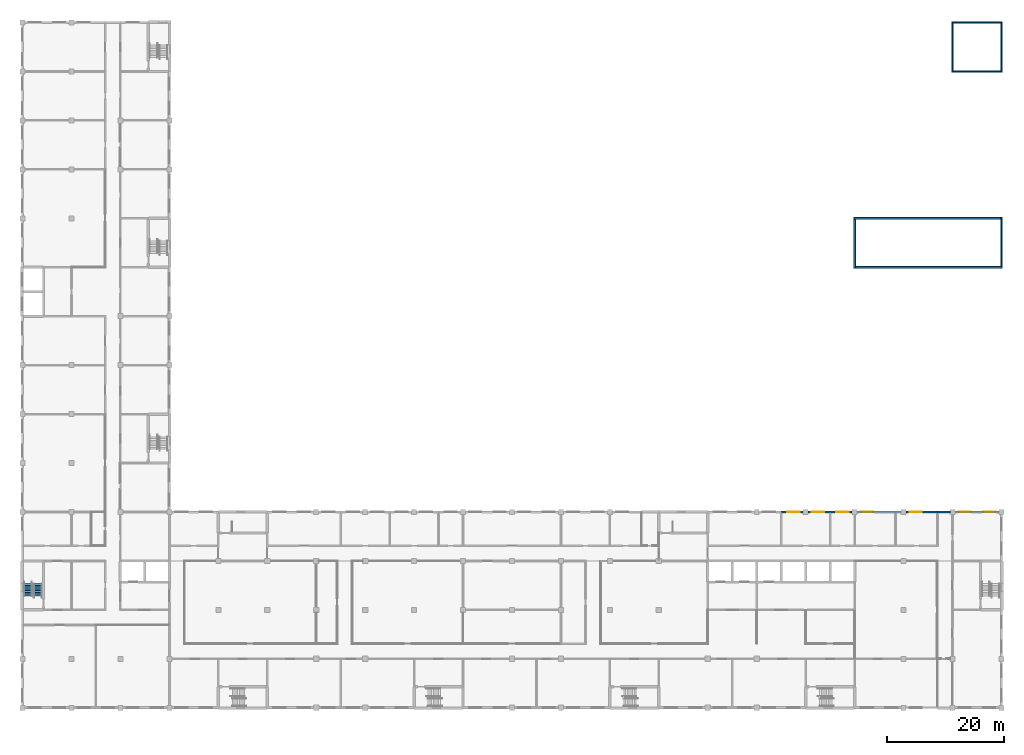
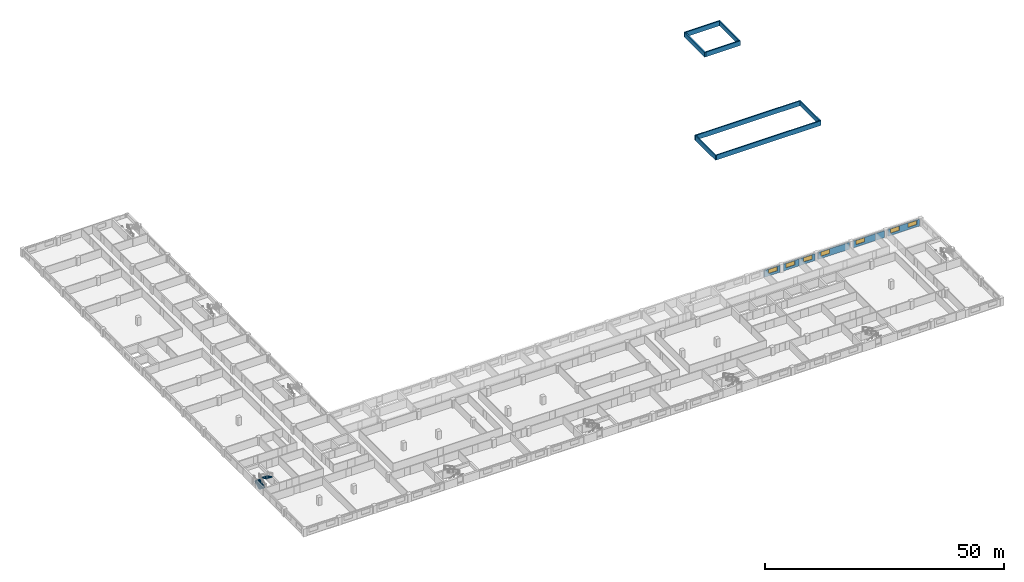
# One storey, part 41 of 48: 15 walls, 7 windows, 2 stair flights, 7 openings, 1 element without a shape of its own.
"""IFC4 building model written with IfcOpenShell, lengths in metres."""

import ifcopenshell
import ifcopenshell.guid

model = None  # the IFC model being written
_history = None  # IfcOwnerHistory: only IFC2X3 demands one
_inside = {}  # id of a spatial element -> (the spatial element, [elements in it])
_under = {}  # id of a project, library or spatial element -> (it, [spatial elements below it])
_declared = {}  # id of a project -> (the project, [libraries it declares])
_typed = {}  # id of a type object -> (the type object, [elements of that type])
_made_of = {}  # id of a material, layer set ... -> (it, [elements and type objects made of it])


def new_model(schema):
    """Start an empty IFC model of exactly this schema.

    Asked for "IFC4X3", IfcOpenShell would pick the latest addendum, in which some entities
    have other attributes; the version numbers below select the first issue.
    IFC2X3 requires an IfcOwnerHistory on every rooted entity: one is made here for all.
    """
    global model, _history
    if schema == "IFC4X3":
        model = ifcopenshell.file(schema_version=(4, 3, 0, 0))
    else:
        model = ifcopenshell.file(schema=schema)
    _inside.clear()
    _under.clear()
    _declared.clear()
    _typed.clear()
    _made_of.clear()
    _history = None
    if model.schema == "IFC2X3":
        org = make("IfcOrganization", Name="unknown")
        user = make(
            "IfcPersonAndOrganization",
            ThePerson=make("IfcPerson", FamilyName="unknown"),
            TheOrganization=org,
        )
        app = make(
            "IfcApplication",
            ApplicationDeveloper=org,
            Version="unknown",
            ApplicationFullName="unknown",
            ApplicationIdentifier="unknown",
        )
        _history = make(
            "IfcOwnerHistory",
            OwningUser=user,
            OwningApplication=app,
            ChangeAction="ADDED",
            CreationDate=0,
        )
    return model


def make(cls, **values):
    """One entity of the class cls with the attributes given. An attribute that is None is left unset."""
    return model.create_entity(
        cls, **{name: value for name, value in values.items() if value is not None}
    )


def rooted(cls, **values):
    """An entity with a GlobalId (a new one), such as an element, a storey or a relation."""
    return make(cls, GlobalId=ifcopenshell.guid.new(), OwnerHistory=_history, **values)


def si_unit(unit_type, name, prefix=None):
    """IfcSIUnit, for example si_unit("LENGTHUNIT", "METRE", prefix="MILLI")."""
    return make("IfcSIUnit", UnitType=unit_type, Prefix=prefix, Name=name)


def assignment(units):
    """IfcUnitAssignment: the units of a project."""
    return None if units is None else make("IfcUnitAssignment", Units=units)


def point(xyz):
    """IfcCartesianPoint."""
    return None if xyz is None else make("IfcCartesianPoint", Coordinates=xyz)


def direction(xyz):
    """IfcDirection."""
    return None if xyz is None else make("IfcDirection", DirectionRatios=xyz)


def frame(location, z_axis=None, x_axis=None):
    """IfcAxis2Placement3D, a coordinate frame: its origin and axes. An axis left out is left unset."""
    return make(
        "IfcAxis2Placement3D",
        Location=point(location),
        Axis=direction(z_axis),
        RefDirection=direction(x_axis),
    )


def frame_2d(location, x_axis=None):
    """IfcAxis2Placement2D, a coordinate frame in the plane: its origin and x axis."""
    return make(
        "IfcAxis2Placement2D", Location=point(location), RefDirection=direction(x_axis)
    )


def origin():
    """The frame at (0, 0, 0) with its axes left unset."""
    return frame((0.0, 0.0, 0.0))


def place(relative_to, where):
    """IfcLocalPlacement: puts the frame where relative to a parent placement (None: the world)."""
    return make(
        "IfcLocalPlacement", PlacementRelTo=relative_to, RelativePlacement=where
    )


def context(
    kind, dimensions, precision=None, world=None, true_north=None, identifier=None
):
    """IfcGeometricRepresentationContext, for example the 3D "Model" context."""
    return make(
        "IfcGeometricRepresentationContext",
        ContextIdentifier=identifier,
        ContextType=kind,
        CoordinateSpaceDimension=dimensions,
        Precision=precision,
        WorldCoordinateSystem=world,
        TrueNorth=true_north,
    )


def subcontext(parent, identifier, kind, view, scale=None):
    """IfcGeometricRepresentationSubContext, for example "Body" below "Model"."""
    return make(
        "IfcGeometricRepresentationSubContext",
        ContextIdentifier=identifier,
        ContextType=kind,
        ParentContext=parent,
        TargetScale=scale,
        TargetView=view,
    )


def project(units=None, contexts=None):
    """IfcProject with its units and contexts."""
    return rooted(
        "IfcProject",
        Name="project",
        RepresentationContexts=contexts,
        UnitsInContext=assignment(units),
    )


def spatial(cls, under=None, at=None, **own):
    """A site, building, storey or space (cls), placed at a placement, below another one or the project."""
    s = rooted(cls, ObjectPlacement=at, **own)
    if under is not None:
        _under.setdefault(under.id(), (under, []))[1].append(s)
    return s


def polyline(points):
    """IfcPolyline through the points."""
    return make("IfcPolyline", Points=[point(p) for p in points])


def profile(cls, at=None, kind="AREA", **sizes):
    """A parametric profile (cls). Its sizes go by their IFC names, for example OverallWidth=200.0."""
    return make(cls, ProfileType=kind, Position=at, **sizes)


def rectangle(**sizes):
    """IfcRectangleProfileDef."""
    return profile("IfcRectangleProfileDef", **sizes)


def outline(outer, holes=None, kind="AREA"):
    """IfcArbitraryClosedProfileDef: a profile drawn as a closed curve; with holes, ...WithVoids."""
    if holes is None:
        return make("IfcArbitraryClosedProfileDef", ProfileType=kind, OuterCurve=outer)
    return make(
        "IfcArbitraryProfileDefWithVoids",
        ProfileType=kind,
        OuterCurve=outer,
        InnerCurves=holes,
    )


def extrude(swept, where, along, depth):
    """IfcExtrudedAreaSolid: the profile swept, set in the frame where, extruded along a direction by depth."""
    return make(
        "IfcExtrudedAreaSolid",
        SweptArea=swept,
        Position=where,
        ExtrudedDirection=direction(along),
        Depth=depth,
    )


def shape(context_of_items, identifier, shape_type, items):
    """IfcShapeRepresentation: the items that make up one representation, for example the "Body"."""
    return make(
        "IfcShapeRepresentation",
        ContextOfItems=context_of_items,
        RepresentationIdentifier=identifier,
        RepresentationType=shape_type,
        Items=items,
    )


def material(Name=None, Category=None):
    """IfcMaterial."""
    return make("IfcMaterial", Name=Name, Category=Category)


def layer(
    of_material, thickness, ventilated=None, Name=None, Category=None, Priority=None
):
    """IfcMaterialLayer: one layer of a wall or slab, of a material (None: an air gap)."""
    return make(
        "IfcMaterialLayer",
        Material=of_material,
        LayerThickness=thickness,
        IsVentilated=ventilated,
        Name=Name,
        Category=Category,
        Priority=Priority,
    )


def layer_set(layers, Name=None):
    """IfcMaterialLayerSet."""
    return make("IfcMaterialLayerSet", MaterialLayers=layers, LayerSetName=Name)


def made_of(thing, what):
    """Note that an element or type object is made of a material, layer set ...; save() writes the relation."""
    if what is not None:
        _made_of.setdefault(what.id(), (what, []))[1].append(thing)
    return thing


def type_object(cls, material=None, **own):
    """A type object (cls), such as IfcWallType, which elements share."""
    return made_of(rooted(cls, **own), material)


def element(
    cls,
    number,
    at=None,
    inside=None,
    cuts=None,
    type_object=None,
    material=None,
    context=None,
    identifier="Body",
    shape_type=None,
    held_by="IfcProductDefinitionShape",
    body=None,
    shapes=None,
    **own,
):
    """One element of the class cls, such as IfcWall. Its Tag is "e" and its number.

    at: its placement. inside: the storey or other place that contains it. cuts: it is an
    opening in that element (IfcRelVoidsElement). A single representation is given by context,
    identifier, shape_type and body (its items); several are given by shapes. held_by: the class
    of the entity that holds the representations. save() writes the other relations.
    """
    e = rooted(cls, Tag="e%d" % number, ObjectPlacement=at, **own)
    if body is not None:
        shapes = [shape(context, identifier, shape_type, body)]
    if shapes is not None:
        e.Representation = make(held_by, Representations=shapes)
    if inside is not None:
        _inside.setdefault(inside.id(), (inside, []))[1].append(e)
    if cuts is not None:
        rooted(
            "IfcRelVoidsElement", RelatingBuildingElement=cuts, RelatedOpeningElement=e
        )
    if type_object is not None:
        _typed.setdefault(type_object.id(), (type_object, []))[1].append(e)
    return made_of(e, material)


def fill(opening, filler):
    """IfcRelFillsElement: the door or window that sits in an opening."""
    return rooted(
        "IfcRelFillsElement",
        RelatingOpeningElement=opening,
        RelatedBuildingElement=filler,
    )


def aggregate(whole, parts):
    """IfcRelAggregates: a whole, such as a stair, and the parts it consists of."""
    return rooted("IfcRelAggregates", RelatingObject=whole, RelatedObjects=parts)


def save(model, path):
    """Write the relations noted so far, then the file.

    IfcRelAggregates (storeys below a building ...), IfcRelContainedInSpatialStructure (elements
    in a storey), IfcRelDefinesByType, IfcRelAssociatesMaterial and IfcRelDeclares: one each for
    every whole, place, type object, material and project.
    """
    for whole, parts in _under.values():
        aggregate(whole, parts)
    for where, things in _inside.values():
        rooted(
            "IfcRelContainedInSpatialStructure",
            RelatedElements=things,
            RelatingStructure=where,
        )
    for kind, things in _typed.values():
        rooted("IfcRelDefinesByType", RelatedObjects=things, RelatingType=kind)
    for what, things in _made_of.values():
        rooted("IfcRelAssociatesMaterial", RelatedObjects=things, RelatingMaterial=what)
    for by, libraries in _declared.values():
        rooted("IfcRelDeclares", RelatingContext=by, RelatedDefinitions=libraries)
    model.write(path)


model = new_model("IFC4")

# Units and contexts
model_context = context("Model", 3, precision=1e-05, world=origin(), true_north=direction((0.0, 1.0)))
body_context = subcontext(model_context, "Body", "Model", "MODEL_VIEW")
ifc_project = project(units=[si_unit("LENGTHUNIT", "METRE"), si_unit("AREAUNIT", "SQUARE_METRE"), si_unit("VOLUMEUNIT", "CUBIC_METRE"), si_unit("PLANEANGLEUNIT", "RADIAN"), si_unit("MASSUNIT", "GRAM", prefix="KILO")], contexts=[model_context])

# Site, building, storey
site_placement = place(None, origin())
site = spatial("IfcSite", under=ifc_project, at=site_placement, CompositionType="ELEMENT")
building_placement = place(site_placement, origin())
building = spatial("IfcBuilding", under=site, at=building_placement, Name="Yavir Park General Hospital", CompositionType="ELEMENT")
storey_placement = place(building_placement, frame((0.0, 0.0, 12.89990234375)))
storey = spatial("IfcBuildingStorey", under=building, at=storey_placement, Name="I02", CompositionType="ELEMENT", Elevation=12.89990234375)

# Wall, opening, window
ifc_material_1 = material(Name="Insulated sandwich panels on a Steel S355 subframe", Category="steel")
ifc_layer_1 = layer(ifc_material_1, 0.300048828125)
ifc_layer_set_1 = layer_set([ifc_layer_1], Name="Insulated sandwich panels on a Steel S355 subframe")
wall_type_1 = type_object("IfcWallType", Name="Insulated panel service floor wall 300, E 30", PredefinedType="SOLIDWALL", material=ifc_layer_set_1)
wall_1_placement = place(storey_placement, frame((130.199951171875, 33.60009765625, 0.0), z_axis=(0.0, 0.0, 1.0), x_axis=(1.0, 0.0, 0.0)))
wall_1 = element("IfcWall", 1, at=wall_1_placement, inside=storey, type_object=wall_type_1, Name="XW5 I02-055", PredefinedType="SOLIDWALL", context=body_context, shape_type="SweptSolid", body=[
    extrude(rectangle(XDim=3.775146484375, YDim=0.300048828125, at=frame_2d((1.8876953125, 0.0))), origin(), (0.0, 0.0, 1.0), 1.739990234375),
])
opening_1_placement = place(wall_1_placement, frame((1.050048828125, 0.0, 0.60009765625)))
opening_1 = element("IfcOpeningElement", 2, at=opening_1_placement, cuts=wall_1, Name="Opening LV3", PredefinedType="OPENING", context=body_context, shape_type="SweptSolid", body=[
    extrude(rectangle(XDim=2.10009765625, YDim=1.050048828125, at=frame_2d((1.050048828125, 0.52490234375))), frame((0.0, 0.159912109375, 0.0), z_axis=(0.0, -1.0, 0.0), x_axis=(1.0, 0.0, 0.0)), (0.0, 0.0, 1.0), 0.320068359375),
])
ifc_material_2 = material(Name="Anodised aluminium louvre blades in a deep frame", Category="aluminium")
window_type = type_object("IfcWindowType", Name="Interstitial floor louvre 2100 x 1050", PartitioningType="SINGLE_PANEL", PredefinedType="WINDOW", material=ifc_material_2)
window_1_placement = place(opening_1_placement, origin())
window_1 = element("IfcWindow", 3, at=window_1_placement, inside=storey, type_object=window_type, Name="LV3 I02-052", OverallHeight=1.050048828125, OverallWidth=2.10009765625, PartitioningType="SINGLE_PANEL", PredefinedType="WINDOW", context=body_context, shape_type="SweptSolid", body=[
    extrude(rectangle(XDim=2.10009765625, YDim=1.050048828125, at=frame_2d((1.050048828125, 0.52490234375))), frame((0.0, 0.074951171875, 0.0), z_axis=(0.0, -1.0, 0.0), x_axis=(1.0, 0.0, 0.0)), (0.0, 0.0, 1.0), 0.14990234375),
])
fill(opening_1, window_1)

wall_2_placement = place(storey_placement, frame((134.824951171875, 33.60009765625, 0.0), z_axis=(0.0, 0.0, 1.0), x_axis=(1.0, 0.0, 0.0)))
wall_2 = element("IfcWall", 4, at=wall_2_placement, inside=storey, type_object=wall_type_1, Name="XW5 I02-056", PredefinedType="SOLIDWALL", context=body_context, shape_type="SweptSolid", body=[
    extrude(rectangle(XDim=3.775146484375, YDim=0.300048828125, at=frame_2d((1.8876953125, 0.0))), origin(), (0.0, 0.0, 1.0), 1.739990234375),
])
opening_2_placement = place(wall_2_placement, frame((0.625, 0.0, 0.60009765625)))
opening_2 = element("IfcOpeningElement", 5, at=opening_2_placement, cuts=wall_2, Name="Opening LV3", PredefinedType="OPENING", context=body_context, shape_type="SweptSolid", body=[
    extrude(rectangle(XDim=2.10009765625, YDim=1.050048828125, at=frame_2d((1.050048828125, 0.52490234375))), frame((0.0, 0.159912109375, 0.0), z_axis=(0.0, -1.0, 0.0), x_axis=(1.0, 0.0, 0.0)), (0.0, 0.0, 1.0), 0.320068359375),
])
window_2_placement = place(opening_2_placement, origin())
window_2 = element("IfcWindow", 6, at=window_2_placement, inside=storey, type_object=window_type, Name="LV3 I02-053", OverallHeight=1.050048828125, OverallWidth=2.10009765625, PartitioningType="SINGLE_PANEL", PredefinedType="WINDOW", context=body_context, shape_type="SweptSolid", body=[
    extrude(rectangle(XDim=2.10009765625, YDim=1.050048828125, at=frame_2d((1.050048828125, 0.52490234375))), frame((0.0, 0.074951171875, 0.0), z_axis=(0.0, -1.0, 0.0), x_axis=(1.0, 0.0, 0.0)), (0.0, 0.0, 1.0), 0.14990234375),
])
fill(opening_2, window_2)

wall_3_placement = place(storey_placement, frame((138.60009765625, 33.60009765625, 0.0), z_axis=(0.0, 0.0, 1.0), x_axis=(1.0, 0.0, 0.0)))
wall_3 = element("IfcWall", 7, at=wall_3_placement, inside=storey, type_object=wall_type_1, Name="XW5 I02-057", PredefinedType="SOLIDWALL", context=body_context, shape_type="SweptSolid", body=[
    extrude(rectangle(XDim=3.77490234375, YDim=0.300048828125, at=frame_2d((1.887451171875, 0.0))), origin(), (0.0, 0.0, 1.0), 1.739990234375),
])
opening_3_placement = place(wall_3_placement, frame((1.050048828125, 0.0, 0.60009765625)))
opening_3 = element("IfcOpeningElement", 8, at=opening_3_placement, cuts=wall_3, Name="Opening LV3", PredefinedType="OPENING", context=body_context, shape_type="SweptSolid", body=[
    extrude(rectangle(XDim=2.10009765625, YDim=1.050048828125, at=frame_2d((1.050048828125, 0.52490234375))), frame((0.0, 0.159912109375, 0.0), z_axis=(0.0, -1.0, 0.0), x_axis=(1.0, 0.0, 0.0)), (0.0, 0.0, 1.0), 0.320068359375),
])
window_3_placement = place(opening_3_placement, origin())
window_3 = element("IfcWindow", 9, at=window_3_placement, inside=storey, type_object=window_type, Name="LV3 I02-054", OverallHeight=1.050048828125, OverallWidth=2.10009765625, PartitioningType="SINGLE_PANEL", PredefinedType="WINDOW", context=body_context, shape_type="SweptSolid", body=[
    extrude(rectangle(XDim=2.10009765625, YDim=1.050048828125, at=frame_2d((1.050048828125, 0.52490234375))), frame((0.0, 0.074951171875, 0.0), z_axis=(0.0, -1.0, 0.0), x_axis=(1.0, 0.0, 0.0)), (0.0, 0.0, 1.0), 0.14990234375),
])
fill(opening_3, window_3)

wall_4_placement = place(storey_placement, frame((143.22509765625, 33.60009765625, 0.0), z_axis=(0.0, 0.0, 1.0), x_axis=(1.0, 0.0, 0.0)))
wall_4 = element("IfcWall", 10, at=wall_4_placement, inside=storey, type_object=wall_type_1, Name="XW5 I02-058", PredefinedType="SOLIDWALL", context=body_context, shape_type="SweptSolid", body=[
    extrude(rectangle(XDim=7.5498046875, YDim=0.300048828125, at=frame_2d((3.77490234375, 0.0))), origin(), (0.0, 0.0, 1.0), 1.739990234375),
])
opening_4_placement = place(wall_4_placement, frame((0.625, 0.0, 0.60009765625)))
opening_4 = element("IfcOpeningElement", 11, at=opening_4_placement, cuts=wall_4, Name="Opening LV3", PredefinedType="OPENING", context=body_context, shape_type="SweptSolid", body=[
    extrude(rectangle(XDim=2.10009765625, YDim=1.050048828125, at=frame_2d((1.050048828125, 0.52490234375))), frame((0.0, 0.159912109375, 0.0), z_axis=(0.0, -1.0, 0.0), x_axis=(1.0, 0.0, 0.0)), (0.0, 0.0, 1.0), 0.320068359375),
])
window_4_placement = place(opening_4_placement, origin())
window_4 = element("IfcWindow", 12, at=window_4_placement, inside=storey, type_object=window_type, Name="LV3 I02-055", OverallHeight=1.050048828125, OverallWidth=2.10009765625, PartitioningType="SINGLE_PANEL", PredefinedType="WINDOW", context=body_context, shape_type="SweptSolid", body=[
    extrude(rectangle(XDim=2.10009765625, YDim=1.050048828125, at=frame_2d((1.050048828125, 0.52490234375))), frame((0.0, 0.074951171875, 0.0), z_axis=(0.0, -1.0, 0.0), x_axis=(1.0, 0.0, 0.0)), (0.0, 0.0, 1.0), 0.14990234375),
])
fill(opening_4, window_4)

wall_5_placement = place(storey_placement, frame((151.625, 33.60009765625, 0.0), z_axis=(0.0, 0.0, 1.0), x_axis=(1.0, 0.0, 0.0)))
wall_5 = element("IfcWall", 13, at=wall_5_placement, inside=storey, type_object=wall_type_1, Name="XW5 I02-060", PredefinedType="SOLIDWALL", context=body_context, shape_type="SweptSolid", body=[
    extrude(rectangle(XDim=5.375, YDim=0.300048828125, at=frame_2d((2.6875, 0.0))), origin(), (0.0, 0.0, 1.0), 1.739990234375),
])
opening_5_placement = place(wall_5_placement, frame((0.625, 0.0, 0.60009765625)))
opening_5 = element("IfcOpeningElement", 14, at=opening_5_placement, cuts=wall_5, Name="Opening LV3", PredefinedType="OPENING", context=body_context, shape_type="SweptSolid", body=[
    extrude(rectangle(XDim=2.10009765625, YDim=1.050048828125, at=frame_2d((1.050048828125, 0.52490234375))), frame((0.0, 0.159912109375, 0.0), z_axis=(0.0, -1.0, 0.0), x_axis=(1.0, 0.0, 0.0)), (0.0, 0.0, 1.0), 0.320068359375),
])
window_5_placement = place(opening_5_placement, origin())
window_5 = element("IfcWindow", 15, at=window_5_placement, inside=storey, type_object=window_type, Name="LV3 I02-056", OverallHeight=1.050048828125, OverallWidth=2.10009765625, PartitioningType="SINGLE_PANEL", PredefinedType="WINDOW", context=body_context, shape_type="SweptSolid", body=[
    extrude(rectangle(XDim=2.10009765625, YDim=1.050048828125, at=frame_2d((1.050048828125, 0.52490234375))), frame((0.0, 0.074951171875, 0.0), z_axis=(0.0, -1.0, 0.0), x_axis=(1.0, 0.0, 0.0)), (0.0, 0.0, 1.0), 0.14990234375),
])
fill(opening_5, window_5)

# Wall
wall_6_placement = place(storey_placement, frame((157.0, 33.60009765625, 0.0), z_axis=(0.0, 0.0, 1.0), x_axis=(1.0, 0.0, 0.0)))
element("IfcWall", 16, at=wall_6_placement, inside=storey, type_object=wall_type_1, Name="XW5 I02-061", PredefinedType="SOLIDWALL", context=body_context, shape_type="SweptSolid", body=[
    extrude(rectangle(XDim=2.175048828125, YDim=0.300048828125, at=frame_2d((1.08740234375, 0.0))), origin(), (0.0, 0.0, 1.0), 1.739990234375),
])

# Wall, openings, windows
wall_7_placement = place(storey_placement, frame((160.02490234375, 33.60009765625, 0.0), z_axis=(0.0, 0.0, 1.0), x_axis=(1.0, 0.0, 0.0)))
wall_7 = element("IfcWall", 17, at=wall_7_placement, inside=storey, type_object=wall_type_1, Name="XW5 I02-062", PredefinedType="SOLIDWALL", context=body_context, shape_type="SweptSolid", body=[
    extrude(rectangle(XDim=7.550048828125, YDim=0.300048828125, at=frame_2d((3.77490234375, 0.0))), origin(), (0.0, 0.0, 1.0), 1.739990234375),
])
opening_6_placement = place(wall_7_placement, frame((0.625, 0.0, 0.60009765625)))
opening_6 = element("IfcOpeningElement", 18, at=opening_6_placement, cuts=wall_7, Name="Opening LV3", PredefinedType="OPENING", context=body_context, shape_type="SweptSolid", body=[
    extrude(rectangle(XDim=2.10009765625, YDim=1.050048828125, at=frame_2d((1.050048828125, 0.52490234375))), frame((0.0, 0.159912109375, 0.0), z_axis=(0.0, -1.0, 0.0), x_axis=(1.0, 0.0, 0.0)), (0.0, 0.0, 1.0), 0.320068359375),
])
opening_7_placement = place(wall_7_placement, frame((4.824951171875, 0.0, 0.60009765625)))
opening_7 = element("IfcOpeningElement", 19, at=opening_7_placement, cuts=wall_7, Name="Opening LV3", PredefinedType="OPENING", context=body_context, shape_type="SweptSolid", body=[
    extrude(rectangle(XDim=2.10009765625, YDim=1.050048828125, at=frame_2d((1.050048828125, 0.52490234375))), frame((0.0, 0.159912109375, 0.0), z_axis=(0.0, -1.0, 0.0), x_axis=(1.0, 0.0, 0.0)), (0.0, 0.0, 1.0), 0.320068359375),
])
window_6_placement = place(opening_6_placement, origin())
window_6 = element("IfcWindow", 20, at=window_6_placement, inside=storey, type_object=window_type, Name="LV3 I02-057", OverallHeight=1.050048828125, OverallWidth=2.10009765625, PartitioningType="SINGLE_PANEL", PredefinedType="WINDOW", context=body_context, shape_type="SweptSolid", body=[
    extrude(rectangle(XDim=2.10009765625, YDim=1.050048828125, at=frame_2d((1.050048828125, 0.52490234375))), frame((0.0, 0.074951171875, 0.0), z_axis=(0.0, -1.0, 0.0), x_axis=(1.0, 0.0, 0.0)), (0.0, 0.0, 1.0), 0.14990234375),
])
fill(opening_6, window_6)
window_7_placement = place(opening_7_placement, origin())
window_7 = element("IfcWindow", 21, at=window_7_placement, inside=storey, type_object=window_type, Name="LV3 I02-058", OverallHeight=1.050048828125, OverallWidth=2.10009765625, PartitioningType="SINGLE_PANEL", PredefinedType="WINDOW", context=body_context, shape_type="SweptSolid", body=[
    extrude(rectangle(XDim=2.10009765625, YDim=1.050048828125, at=frame_2d((1.050048828125, 0.52490234375))), frame((0.0, 0.074951171875, 0.0), z_axis=(0.0, -1.0, 0.0), x_axis=(1.0, 0.0, 0.0)), (0.0, 0.0, 1.0), 0.14990234375),
])
fill(opening_7, window_7)

# Walls
ifc_material_3 = material(Name="Concrete C30/37", Category="concrete")
ifc_layer_2 = layer(ifc_material_3, 0.300048828125)
ifc_layer_set_2 = layer_set([ifc_layer_2], Name="Concrete C30/37")
wall_type_2 = type_object("IfcWallType", Name="Roof parapet 300 x 1200", PredefinedType="PARAPET", material=ifc_layer_set_2)
wall_8_placement = place(storey_placement, frame((167.85009765625, 84.0, 0.0), z_axis=(0.0, 0.0, 1.0), x_axis=(-1.0, 0.0, 0.0)))
element("IfcWall", 22, at=wall_8_placement, inside=storey, type_object=wall_type_2, Name="Parapet L021428-756.0.0", PredefinedType="PARAPET", context=body_context, shape_type="SweptSolid", body=[
    extrude(rectangle(XDim=25.2001953125, YDim=0.300048828125, at=frame_2d((12.60009765625, 0.0))), origin(), (0.0, 0.0, 1.0), 1.2001953125),
])
wall_9_placement = place(storey_placement, frame((142.800048828125, 83.85009765625, 0.0), z_axis=(0.0, 0.0, 1.0), x_axis=(0.0, -1.0, 0.0)))
element("IfcWall", 23, at=wall_9_placement, inside=storey, type_object=wall_type_2, Name="Parapet L021428-756.0.1", PredefinedType="PARAPET", context=body_context, shape_type="SweptSolid", body=[
    extrude(rectangle(XDim=8.400146484375, YDim=0.300048828125, at=frame_2d((4.2001953125, 0.0))), origin(), (0.0, 0.0, 1.0), 1.2001953125),
])
wall_10_placement = place(storey_placement, frame((142.949951171875, 75.60009765625, 0.0), z_axis=(0.0, 0.0, 1.0), x_axis=(1.0, 0.0, 0.0)))
element("IfcWall", 24, at=wall_10_placement, inside=storey, type_object=wall_type_2, Name="Parapet L021428-756.0.2", PredefinedType="PARAPET", context=body_context, shape_type="SweptSolid", body=[
    extrude(rectangle(XDim=25.199951171875, YDim=0.300048828125, at=frame_2d((12.60009765625, 0.0))), origin(), (0.0, 0.0, 1.0), 1.2001953125),
])
wall_11_placement = place(storey_placement, frame((168.0, 75.75, 0.0), z_axis=(0.0, 0.0, 1.0), x_axis=(0.0, 1.0, 0.0)))
element("IfcWall", 25, at=wall_11_placement, inside=storey, type_object=wall_type_2, Name="Parapet L021428-756.0.3", PredefinedType="PARAPET", context=body_context, shape_type="SweptSolid", body=[
    extrude(rectangle(XDim=8.39990234375, YDim=0.300048828125, at=frame_2d((4.199951171875, 0.0))), origin(), (0.0, 0.0, 1.0), 1.2001953125),
])
wall_12_placement = place(storey_placement, frame((167.85009765625, 117.60009765625, 0.0), z_axis=(0.0, 0.0, 1.0), x_axis=(-1.0, 0.0, 0.0)))
element("IfcWall", 26, at=wall_12_placement, inside=storey, type_object=wall_type_2, Name="Parapet L021596-1092.0.0", PredefinedType="PARAPET", context=body_context, shape_type="SweptSolid", body=[
    extrude(rectangle(XDim=8.400146484375, YDim=0.300048828125, at=frame_2d((4.2001953125, 0.0))), origin(), (0.0, 0.0, 1.0), 1.2001953125),
])
for number, where, z_axis, x_axis, name in (
    (27, (159.60009765625, 117.449951171875, 0.0), (0.0, 0.0, 1.0), (0.0, -1.0, 0.0), "Parapet L021596-1092.0.1"),
    (28, (159.75, 109.199951171875, 0.0), (0.0, 0.0, 1.0), (1.0, 0.0, 0.0), "Parapet L021596-1092.0.2"),
    (29, (168.0, 109.35009765625, 0.0), (0.0, 0.0, 1.0), (0.0, 1.0, 0.0), "Parapet L021596-1092.0.3"),
):
    element("IfcWall", number, at=place(storey_placement, frame(where, z_axis=z_axis, x_axis=x_axis)), inside=storey, type_object=wall_type_2, Name=name, PredefinedType="PARAPET", context=body_context, shape_type="SweptSolid", body=[
        extrude(rectangle(XDim=8.39990234375, YDim=0.300048828125, at=frame_2d((4.199951171875, 0.0))), origin(), (0.0, 0.0, 1.0), 1.2001953125),
    ])

# Stair, stair flights
ifc_material_4 = material(Name="Concrete C30/37", Category="concrete")
stair_type = type_object("IfcStairType", Name="Patient escape stair, 16 risers of 150 mm, 1400 mm flights", PredefinedType="HALF_TURN_STAIR", material=ifc_material_4)
stair_placement = place(storey_placement, origin())
stair = element("IfcStair", 30, at=stair_placement, inside=storey, type_object=stair_type, Name="Stair SU1, I02 to L03", PredefinedType="HALF_TURN_STAIR")
ifc_material_5 = material(Name="Concrete C30/37", Category="concrete")
stair_flight_type = type_object("IfcStairFlightType", Name="Patient escape stair flight, 8 risers, 1400 mm wide", PredefinedType="STRAIGHT", material=ifc_material_5)
stair_flight_1_placement = place(storey_placement, frame((0.949951171875, 19.199951171875, 0.0), z_axis=(0.0, 0.0, 1.0), x_axis=(0.0, 1.0, 0.0)))
stair_flight_1 = element("IfcStairFlight", 31, at=stair_flight_1_placement, type_object=stair_flight_type, Name="SU1 flight 1", NumberOfRisers=8, NumberOfTreads=7, PredefinedType="STRAIGHT", RiserHeight=0.15, TreadLength=0.3, context=body_context, shape_type="SweptSolid", body=[
    extrude(outline(polyline([(0.0, 0.0), (0.0, 0.021484375), (0.0, 0.04296875), (0.0, 0.064208984375), (0.0, 0.085693359375), (0.0, 0.107177734375), (0.0, 0.128662109375), (0.0, 0.14990234375), (0.300048828125, 0.14990234375), (0.300048828125, 0.300048828125), (0.60009765625, 0.300048828125), (0.60009765625, 0.449951171875), (0.89990234375, 0.449951171875), (0.89990234375, 0.60009765625), (1.199951171875, 0.60009765625), (1.199951171875, 0.75), (1.5, 0.75), (1.5, 0.89990234375), (1.800048828125, 0.89990234375), (1.800048828125, 1.050048828125), (2.10009765625, 1.050048828125), (2.10009765625, 1.199951171875), (2.10009765625, 1.153076171875), (2.10009765625, 1.10595703125), (2.10009765625, 1.05908203125), (2.10009765625, 1.01220703125), (2.10009765625, 0.965087890625), (2.10009765625, 0.918212890625), (2.10009765625, 0.87109375), (0.357666015625, 0.0), (0.0, 0.0)])), frame((0.0, 0.699951171875, 0.0), z_axis=(0.0, -1.0, 0.0), x_axis=(1.0, 0.0, 0.0)), (0.0, 0.0, 1.0), 1.39990234375),
])
stair_flight_2_placement = place(storey_placement, frame((2.64990234375, 21.300048828125, 1.2001953125), z_axis=(0.0, 0.0, 1.0), x_axis=(0.0, -1.0, 0.0)))
stair_flight_2 = element("IfcStairFlight", 32, at=stair_flight_2_placement, type_object=stair_flight_type, Name="SU1 flight 2", NumberOfRisers=8, NumberOfTreads=7, PredefinedType="STRAIGHT", RiserHeight=0.15, TreadLength=0.3, context=body_context, shape_type="SweptSolid", body=[
    extrude(outline(polyline([(0.0, 0.0), (0.0, 0.021484375), (0.0, 0.04296875), (0.0, 0.064208984375), (0.0, 0.085693359375), (0.0, 0.107177734375), (0.0, 0.128662109375), (0.0, 0.14990234375), (0.300048828125, 0.14990234375), (0.300048828125, 0.300048828125), (0.60009765625, 0.300048828125), (0.60009765625, 0.449951171875), (0.89990234375, 0.449951171875), (0.89990234375, 0.60009765625), (1.199951171875, 0.60009765625), (1.199951171875, 0.75), (1.5, 0.75), (1.5, 0.89990234375), (1.800048828125, 0.89990234375), (1.800048828125, 1.050048828125), (2.10009765625, 1.050048828125), (2.10009765625, 1.199951171875), (2.10009765625, 1.153076171875), (2.10009765625, 1.10595703125), (2.10009765625, 1.05908203125), (2.10009765625, 1.01220703125), (2.10009765625, 0.965087890625), (2.10009765625, 0.918212890625), (2.10009765625, 0.87109375), (0.357666015625, 0.0), (0.0, 0.0)])), frame((0.0, 0.699951171875, 0.0), z_axis=(0.0, -1.0, 0.0), x_axis=(1.0, 0.0, 0.0)), (0.0, 0.0, 1.0), 1.39990234375),
])
aggregate(stair, [stair_flight_1, stair_flight_2])

save(model, "model.ifc")
